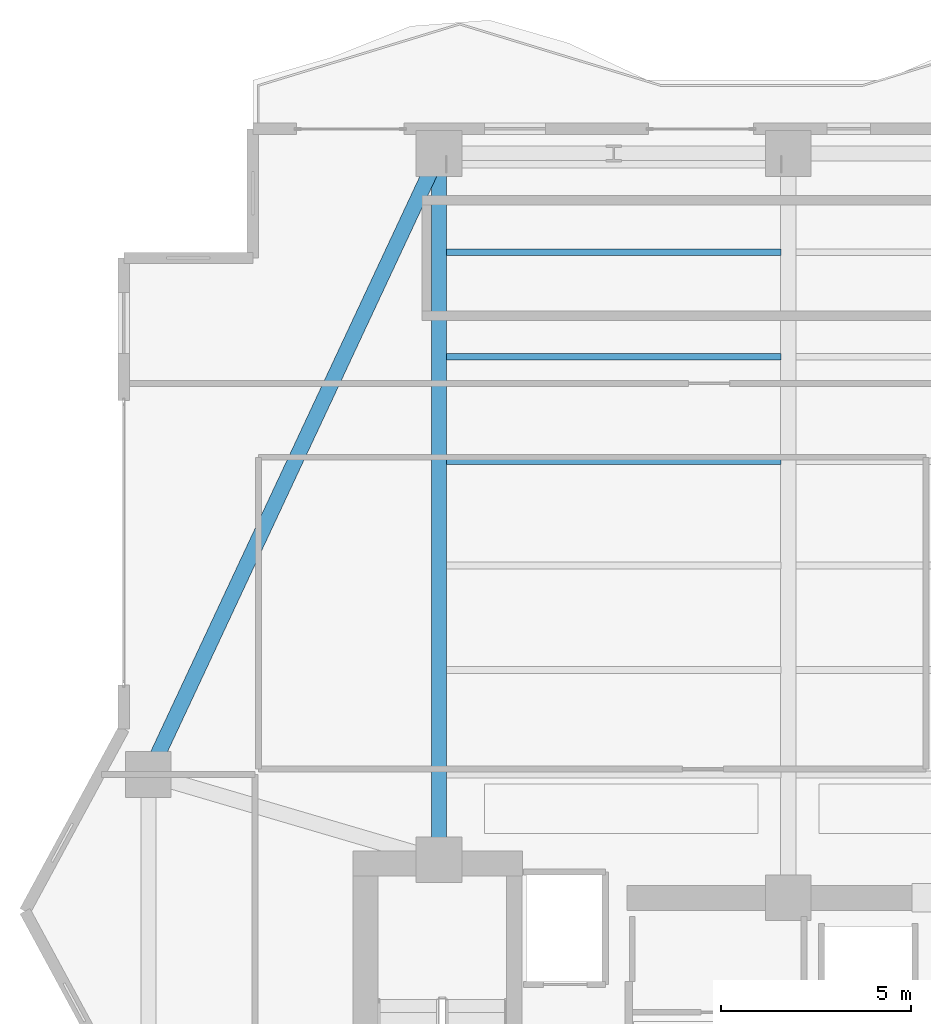
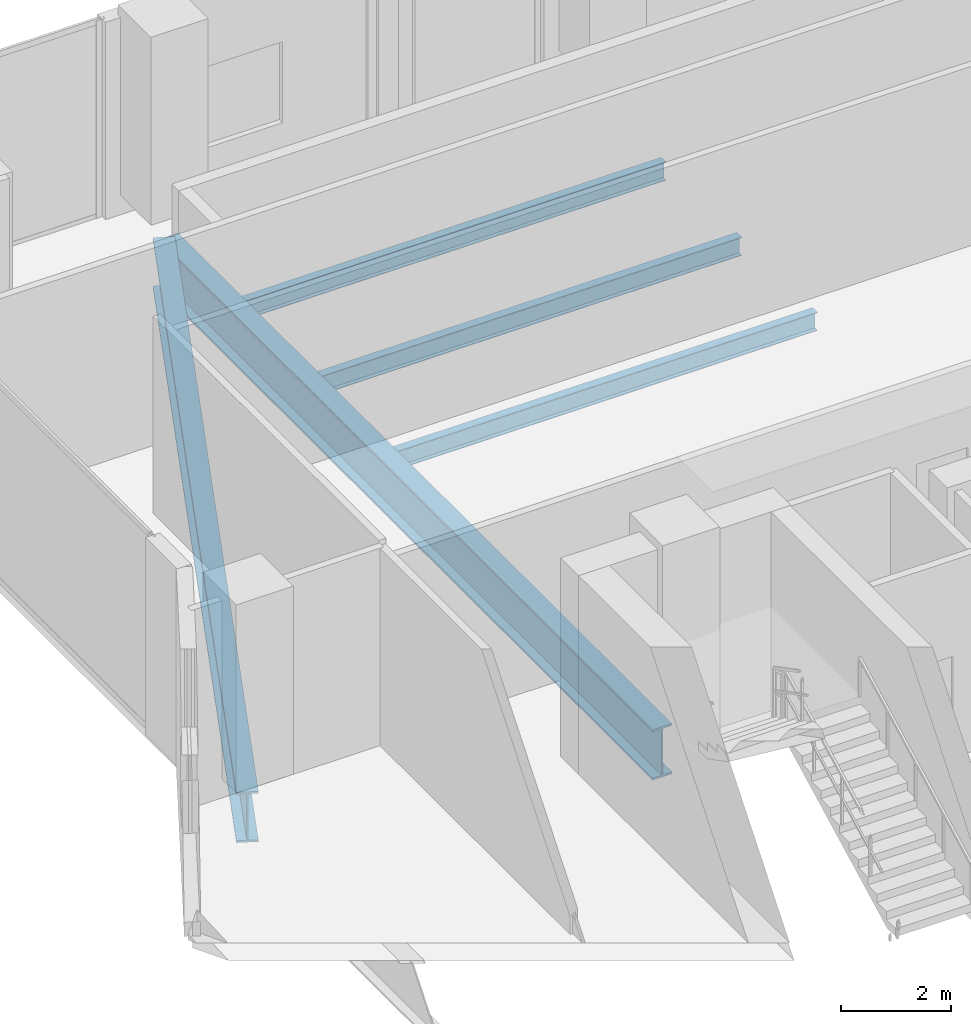
# One storey, part 17 of 33: 5 beams.
"""IFC4 building model written with IfcOpenShell, lengths in metres."""

from ifc_helpers import new_model, si_unit, direction, frame, origin, origin_2d, place, context, subcontext, project, spatial, i_section, extrude, material, material_profile, profile_set, type_object, element, save


model = new_model("IFC4")

# Units and contexts
model_context = context("Model", 3, precision=1e-05, world=origin(), true_north=direction((0.0, 1.0)))
body_context = subcontext(model_context, "Body", "Model", "MODEL_VIEW")
ifc_project = project(units=[si_unit("LENGTHUNIT", "METRE"), si_unit("AREAUNIT", "SQUARE_METRE"), si_unit("VOLUMEUNIT", "CUBIC_METRE"), si_unit("PLANEANGLEUNIT", "RADIAN"), si_unit("MASSUNIT", "GRAM", prefix="KILO")], contexts=[model_context])

# Site, building, storey
site_placement = place(None, origin())
site = spatial("IfcSite", under=ifc_project, at=site_placement, CompositionType="ELEMENT")
building_placement = place(site_placement, origin())
building = spatial("IfcBuilding", under=site, at=building_placement, Name="Zuhayl Quay Hotel", CompositionType="ELEMENT")
storey_placement = place(building_placement, frame((0.0, 0.0, 168.199951171875)))
storey = spatial("IfcBuildingStorey", under=building, at=storey_placement, Name="L42", CompositionType="ELEMENT", Elevation=168.199951171875)

# Beams
ifc_material_1 = material(Name="Steel ASTM A992 Grade 50", Category="steel")
ifc_material_profile_1 = material_profile(ifc_material_1, i_section(OverallWidth=0.177978515625, OverallDepth=0.406005859375, WebThickness=0.0078125, FlangeThickness=0.0126953125, at=origin_2d()), Name="W16X40")
ifc_profile_set_1 = profile_set([ifc_material_profile_1], Name="Steel ASTM A992 Grade 50")
beam_type_1 = type_object("IfcBeamType", Name="BM_J2B_W16X40", PredefinedType="JOIST", material=ifc_profile_set_1)
for number, where, z_axis, x_axis, name in (
    (1, (-13.60595703125, 24.85009765625, -0.462890625), (1.0, 0.0, 0.0), (0.0, 1.0, 0.0), "L42 Floor Beam FJ_L42_4_1"),
    (2, (-13.60595703125, 27.60009765625, -0.462890625), (1.0, 0.0, 0.0), (0.0, 1.0, 0.0), "L42 Floor Beam FJ_L42_5_1"),
    (3, (-13.60595703125, 30.35009765625, -0.462890625), (1.0, 0.0, 0.0), (0.0, 1.0, 0.0), "L42 Floor Beam FJ_L42_6_1"),
):
    element("IfcBeam", number, at=place(storey_placement, frame(where, z_axis=z_axis, x_axis=x_axis)), inside=storey, type_object=beam_type_1, Name=name, PredefinedType="JOIST", context=body_context, shape_type="SweptSolid", body=[
        extrude(i_section(OverallWidth=0.177978515625, OverallDepth=0.406005859375, WebThickness=0.0078125, FlangeThickness=0.0126953125, at=origin_2d()), origin(), (0.0, 0.0, 1.0), 8.81201171875),
    ])
ifc_material_2 = material(Name="Steel ASTM A913 Grade 65", Category="steel")
ifc_material_profile_2 = material_profile(ifc_material_2, i_section(OverallWidth=0.404052734375, OverallDepth=1.117919921875, WebThickness=0.026123046875, FlangeThickness=0.044921875, at=origin_2d()), Name="W44X335")
ifc_profile_set_2 = profile_set([ifc_material_profile_2], Name="Steel ASTM A913 Grade 65")
beam_type_2 = type_object("IfcBeamType", Name="BM_TG1_W44X335", PredefinedType="BEAM", material=ifc_profile_set_2)
beam_1_placement = place(storey_placement, frame((-13.884765625, 32.768798828125, -0.81884765625), z_axis=(-0.423797676758, -0.905756881936, 0.0), x_axis=(0.905756881936, -0.423797676758, 0.0)))
element("IfcBeam", 4, at=beam_1_placement, inside=storey, type_object=beam_type_2, Name="L42 Floor Beam RG_L42_10", PredefinedType="BEAM", context=body_context, shape_type="SweptSolid", body=[
    extrude(i_section(OverallWidth=0.404052734375, OverallDepth=1.117919921875, WebThickness=0.026123046875, FlangeThickness=0.044921875, at=origin_2d()), origin(), (0.0, 0.0, 1.0), 17.651123046875),
])
beam_2_placement = place(storey_placement, frame((-13.800048828125, 14.800048828125, -0.81884765625), z_axis=(0.0, 1.0, 0.0), x_axis=(-1.0, 0.0, 0.0)))
element("IfcBeam", 5, at=beam_2_placement, inside=storey, type_object=beam_type_2, Name="L42 Floor Beam FG_N_L42_1", PredefinedType="BEAM", context=body_context, shape_type="SweptSolid", body=[
    extrude(i_section(OverallWidth=0.404052734375, OverallDepth=1.117919921875, WebThickness=0.026123046875, FlangeThickness=0.044921875, at=origin_2d()), origin(), (0.0, 0.0, 1.0), 17.949951171875),
])

save(model, "model.ifc")
